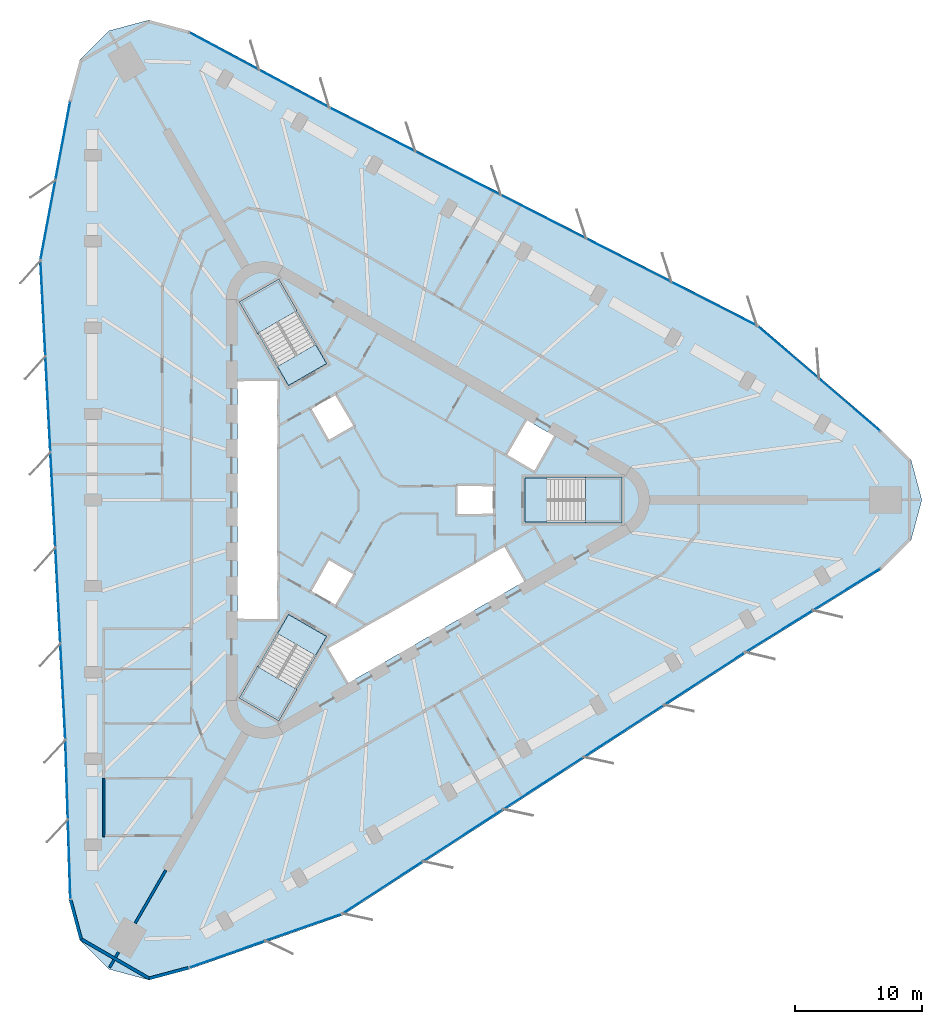
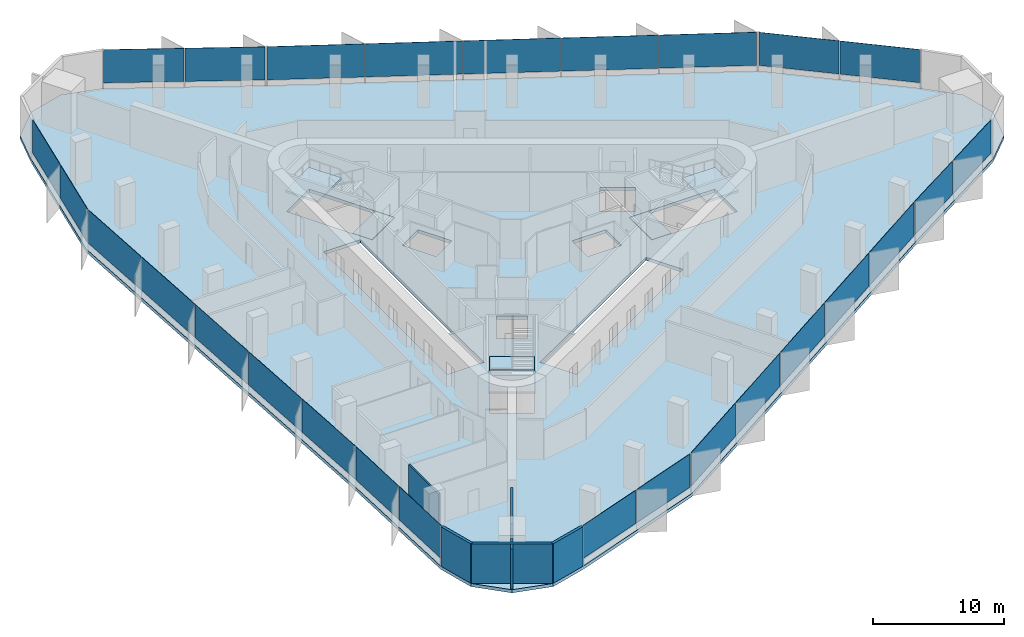
# One storey, part 7 of 13: 27 plates, 7 slabs, 7 walls, 12 elements without a shape of their own.
"""IFC4 building model written with IfcOpenShell, lengths in metres."""

from ifc_helpers import new_model, si_unit, direction, frame, frame_2d, origin, origin_2d, place, context, subcontext, project, spatial, polyline, rectangle, outline, extrude, material, layer, layer_set, type_object, element, aggregate, save


model = new_model("IFC4")

# Units and contexts
model_context = context("Model", 3, precision=1e-05, world=origin(), true_north=direction((0.0, 1.0)))
body_context = subcontext(model_context, "Body", "Model", "MODEL_VIEW")
ifc_project = project(units=[si_unit("LENGTHUNIT", "METRE"), si_unit("AREAUNIT", "SQUARE_METRE"), si_unit("VOLUMEUNIT", "CUBIC_METRE"), si_unit("PLANEANGLEUNIT", "RADIAN"), si_unit("MASSUNIT", "GRAM", prefix="KILO")], contexts=[model_context])

# Site, building, storey
site_placement = place(None, origin())
site = spatial("IfcSite", under=ifc_project, at=site_placement, CompositionType="ELEMENT")
building_placement = place(site_placement, origin())
building = spatial("IfcBuilding", under=site, at=building_placement, Name="Tanit Gate Tower", CompositionType="ELEMENT")
storey_placement = place(building_placement, frame((0.0, 0.0, 169.199951171875)))
storey = spatial("IfcBuildingStorey", under=building, at=storey_placement, Name="L36", CompositionType="ELEMENT", Elevation=169.199951171875)

# Slab
ifc_material_1 = material(Name="Concrete C35/45", Category="concrete")
ifc_layer_1 = layer(ifc_material_1, 0.300048828125)
ifc_layer_set_1 = layer_set([ifc_layer_1], Name="FLOOR SLAB 300 C35/45")
slab_type_1 = type_object("IfcSlabType", Name="FLOOR SLAB 300 C35/45", PredefinedType="FLOOR", material=ifc_layer_set_1)
slab_1_placement = place(storey_placement, frame((0.0, 0.0, -0.300048828125)))
element("IfcSlab", 1, at=slab_1_placement, inside=storey, type_object=slab_type_1, Name="FLOOR SLAB L36", PredefinedType="FLOOR", context=body_context, shape_type="SweptSolid", body=[
    extrude(outline(polyline([(39.398681640625, 5.455078125), (41.7041015625, 3.1494140625), (42.548095703125, 0.0), (41.7041015625, -3.1494140625), (39.398681640625, -5.455078125), (28.72216796875, -12.077392578125), (-2.923583984375, -32.607177734375), (-14.97509765625, -36.84765625), (-18.12451171875, -37.691650390625), (-21.27392578125, -36.84765625), (-23.57958984375, -34.5419921875), (-24.423583984375, -31.392578125), (-24.8203125, -18.83544921875), (-26.77685546875, 18.83544921875), (-24.423583984375, 31.392578125), (-23.57958984375, 34.5419921875), (-21.27392578125, 36.84765625), (-18.12451171875, 37.691650390625), (-14.97509765625, 36.84765625), (-3.90185546875, 30.912841796875), (29.700439453125, 13.771484375), (39.398681640625, 5.455078125)]), holes=[polyline([(11.3701171875, 1.72998046875), (18.929931640625, 1.72998046875), (18.929931640625, -1.72998046875), (11.3701171875, -1.72998046875), (11.3701171875, 1.72998046875)]), polyline([(9.82080078125, 3.510009765625), (11.44580078125, 6.324462890625), (13.783935546875, 4.974609375), (12.158935546875, 2.159912109375), (9.82080078125, 3.510009765625)]), polyline([(-4.208984375, -11.60986328125), (9.82080078125, -3.510009765625), (11.44580078125, -6.324462890625), (-2.583984375, -14.424560546875), (-4.208984375, -11.60986328125)]), polyline([(6.0, 1.199951171875), (9.0, 1.199951171875), (9.0, -1.199951171875), (6.0, -1.199951171875), (6.0, 1.199951171875)]), polyline([(-5.539306640625, 7.194091796875), (-3.460693359375, 8.394287109375), (-1.960693359375, 5.796142578125), (-4.039306640625, 4.59619140625), (-5.539306640625, 7.194091796875)]), polyline([(-1.960693359375, -5.796142578125), (-3.460693359375, -8.394287109375), (-5.539306640625, -7.194091796875), (-4.039306640625, -4.59619140625), (-1.960693359375, -5.796142578125)]), polyline([(-10.963134765625, 15.52880859375), (-7.966796875, 17.2587890625), (-4.186767578125, 10.711669921875), (-7.18310546875, 8.981689453125), (-10.963134765625, 15.52880859375)]), polyline([(-4.186767578125, -10.711669921875), (-7.966796875, -17.2587890625), (-10.963134765625, -15.52880859375), (-7.18310546875, -8.981689453125), (-4.186767578125, -10.711669921875)]), polyline([(-11.199951171875, -9.449951171875), (-11.199951171875, 9.449951171875), (-7.949951171875, 9.449951171875), (-7.949951171875, -9.449951171875), (-11.199951171875, -9.449951171875)])]), origin(), (0.0, 0.0, 1.0), 0.300048828125),
])

# Curtain wall, plates
ifc_material_2 = material(Name="Aluminium bronze anodised and glass", Category="aluminium")
curtain_wall_type = type_object("IfcCurtainWallType", Name="Curtain wall typical mid", PredefinedType="NOTDEFINED", material=ifc_material_2)
curtain_wall_1_placement = place(storey_placement, origin())
curtain_wall_1 = element("IfcCurtainWall", 2, at=curtain_wall_1_placement, inside=storey, type_object=curtain_wall_type, Name="Curtain wall L36 NE1", PredefinedType="NOTDEFINED")
ifc_material_3 = material(Name="Glass tinted", Category="glass")
ifc_layer_2 = layer(ifc_material_3, 0.030029296875)
ifc_layer_set_2 = layer_set([ifc_layer_2], Name="Glass panel 30 typical mid")
plate_type = type_object("IfcPlateType", Name="Glass panel 30 typical mid", PredefinedType="CURTAIN_PANEL", material=ifc_layer_set_2)
plate_1_placement = place(storey_placement, frame((36.880859375, 7.4560546875, 0.60009765625), z_axis=(0.0, 0.0, 1.0), x_axis=(-0.759109335547, 0.650963145412, 0.0)))
plate_1 = element("IfcPlate", 3, at=plate_1_placement, type_object=plate_type, Name="Glass panel L36 NE1.1", PredefinedType="CURTAIN_PANEL", context=body_context, shape_type="SweptSolid", body=[
    extrude(rectangle(XDim=6.25830078125, YDim=0.030029296875, at=origin_2d()), origin(), (0.0, 0.0, 1.0), 3.10009765625),
])
plate_2_placement = place(storey_placement, frame((32.0693359375, 11.58203125, 0.60009765625), z_axis=(0.0, 0.0, 1.0), x_axis=(-0.759109335547, 0.650963145412, 0.0)))
plate_2 = element("IfcPlate", 4, at=plate_2_placement, type_object=plate_type, Name="Glass panel L36 NE1.2", PredefinedType="CURTAIN_PANEL", context=body_context, shape_type="SweptSolid", body=[
    extrude(rectangle(XDim=6.25830078125, YDim=0.030029296875, at=origin_2d()), origin(), (0.0, 0.0, 1.0), 3.10009765625),
])
aggregate(curtain_wall_1, [plate_1, plate_2])

curtain_wall_2_placement = place(storey_placement, origin())
curtain_wall_2 = element("IfcCurtainWall", 5, at=curtain_wall_2_placement, inside=storey, type_object=curtain_wall_type, Name="Curtain wall L36 NE2", PredefinedType="NOTDEFINED")
plate_3_placement = place(storey_placement, frame((26.24560546875, 15.399169921875, 0.60009765625), z_axis=(0.0, 0.0, 1.0), x_axis=(-0.890792250432, 0.454410790552, 0.0)))
plate_3 = element("IfcPlate", 6, at=plate_3_placement, type_object=plate_type, Name="Glass panel L36 NE2.1", PredefinedType="CURTAIN_PANEL", context=body_context, shape_type="SweptSolid", body=[
    extrude(rectangle(XDim=7.44580078125, YDim=0.030029296875, at=origin_2d()), origin(), (0.0, 0.0, 1.0), 3.10009765625),
])
plate_4_placement = place(storey_placement, frame((19.541748046875, 18.819091796875, 0.60009765625), z_axis=(0.0, 0.0, 1.0), x_axis=(-0.890792250432, 0.454410790552, 0.0)))
plate_4 = element("IfcPlate", 7, at=plate_4_placement, type_object=plate_type, Name="Glass panel L36 NE2.2", PredefinedType="CURTAIN_PANEL", context=body_context, shape_type="SweptSolid", body=[
    extrude(rectangle(XDim=7.44580078125, YDim=0.030029296875, at=origin_2d()), origin(), (0.0, 0.0, 1.0), 3.10009765625),
])
plate_5_placement = place(storey_placement, frame((12.837890625, 22.23876953125, 0.60009765625), z_axis=(0.0, 0.0, 1.0), x_axis=(-0.890792250432, 0.454410790552, 0.0)))
plate_5 = element("IfcPlate", 8, at=plate_5_placement, type_object=plate_type, Name="Glass panel L36 NE2.3", PredefinedType="CURTAIN_PANEL", context=body_context, shape_type="SweptSolid", body=[
    extrude(rectangle(XDim=7.44580078125, YDim=0.030029296875, at=origin_2d()), origin(), (0.0, 0.0, 1.0), 3.10009765625),
])
plate_6_placement = place(storey_placement, frame((6.134033203125, 25.65869140625, 0.60009765625), z_axis=(0.0, 0.0, 1.0), x_axis=(-0.890792250432, 0.454410790552, 0.0)))
plate_6 = element("IfcPlate", 9, at=plate_6_placement, type_object=plate_type, Name="Glass panel L36 NE2.4", PredefinedType="CURTAIN_PANEL", context=body_context, shape_type="SweptSolid", body=[
    extrude(rectangle(XDim=7.44580078125, YDim=0.030029296875, at=origin_2d()), origin(), (0.0, 0.0, 1.0), 3.10009765625),
])
plate_7_placement = place(storey_placement, frame((-0.56982421875, 29.078369140625, 0.60009765625), z_axis=(0.0, 0.0, 1.0), x_axis=(-0.890792250432, 0.454410790552, 0.0)))
plate_7 = element("IfcPlate", 10, at=plate_7_placement, type_object=plate_type, Name="Glass panel L36 NE2.5", PredefinedType="CURTAIN_PANEL", context=body_context, shape_type="SweptSolid", body=[
    extrude(rectangle(XDim=7.44580078125, YDim=0.030029296875, at=origin_2d()), origin(), (0.0, 0.0, 1.0), 3.10009765625),
])
aggregate(curtain_wall_2, [plate_3, plate_4, plate_5, plate_6, plate_7])

curtain_wall_3_placement = place(storey_placement, origin())
curtain_wall_3 = element("IfcCurtainWall", 11, at=curtain_wall_3_placement, inside=storey, type_object=curtain_wall_type, Name="Curtain wall L36 NE3", PredefinedType="NOTDEFINED")
plate_8_placement = place(storey_placement, frame((-6.74072265625, 32.298095703125, 0.60009765625), z_axis=(0.0, 0.0, 1.0), x_axis=(-0.881384648642, 0.472399302643, 0.0)))
plate_8 = element("IfcPlate", 12, at=plate_8_placement, type_object=plate_type, Name="Glass panel L36 NE3.1", PredefinedType="CURTAIN_PANEL", context=body_context, shape_type="SweptSolid", body=[
    extrude(rectangle(XDim=6.1552734375, YDim=0.030029296875, at=origin_2d()), origin(), (0.0, 0.0, 1.0), 3.10009765625),
])
plate_9_placement = place(storey_placement, frame((-12.236328125, 35.24365234375, 0.60009765625), z_axis=(0.0, 0.0, 1.0), x_axis=(-0.881384648642, 0.472399302643, 0.0)))
plate_9 = element("IfcPlate", 13, at=plate_9_placement, type_object=plate_type, Name="Glass panel L36 NE3.2", PredefinedType="CURTAIN_PANEL", context=body_context, shape_type="SweptSolid", body=[
    extrude(rectangle(XDim=6.1552734375, YDim=0.030029296875, at=origin_2d()), origin(), (0.0, 0.0, 1.0), 3.10009765625),
])
aggregate(curtain_wall_3, [plate_8, plate_9])

curtain_wall_4_placement = place(storey_placement, origin())
curtain_wall_4 = element("IfcCurtainWall", 14, at=curtain_wall_4_placement, inside=storey, type_object=curtain_wall_type, Name="Curtain wall L36 W1", PredefinedType="NOTDEFINED")
plate_10_placement = place(storey_placement, frame((-24.897705078125, 28.211669921875, 0.60009765625), z_axis=(0.0, 0.0, 1.0), x_axis=(-0.184195953081, -0.98288954154, 0.0)))
plate_10 = element("IfcPlate", 15, at=plate_10_placement, type_object=plate_type, Name="Glass panel L36 W1.1", PredefinedType="CURTAIN_PANEL", context=body_context, shape_type="SweptSolid", body=[
    extrude(rectangle(XDim=6.25830078125, YDim=0.030029296875, at=origin_2d()), origin(), (0.0, 0.0, 1.0), 3.10009765625),
])
plate_11_placement = place(storey_placement, frame((-26.065185546875, 21.981689453125, 0.60009765625), z_axis=(0.0, 0.0, 1.0), x_axis=(-0.184195953081, -0.98288954154, 0.0)))
plate_11 = element("IfcPlate", 16, at=plate_11_placement, type_object=plate_type, Name="Glass panel L36 W1.2", PredefinedType="CURTAIN_PANEL", context=body_context, shape_type="SweptSolid", body=[
    extrude(rectangle(XDim=6.25830078125, YDim=0.030029296875, at=origin_2d()), origin(), (0.0, 0.0, 1.0), 3.10009765625),
])
aggregate(curtain_wall_4, [plate_10, plate_11])

curtain_wall_5_placement = place(storey_placement, origin())
curtain_wall_5 = element("IfcCurtainWall", 17, at=curtain_wall_5_placement, inside=storey, type_object=curtain_wall_type, Name="Curtain wall L36 W2", PredefinedType="NOTDEFINED")
plate_12_placement = place(storey_placement, frame((-26.458984375, 15.02978515625, 0.60009765625), z_axis=(0.0, 0.0, 1.0), x_axis=(0.051864836844, -0.998654113645, 0.0)))
plate_12 = element("IfcPlate", 18, at=plate_12_placement, type_object=plate_type, Name="Glass panel L36 W2.1", PredefinedType="CURTAIN_PANEL", context=body_context, shape_type="SweptSolid", body=[
    extrude(rectangle(XDim=7.44580078125, YDim=0.030029296875, at=origin_2d()), origin(), (0.0, 0.0, 1.0), 3.10009765625),
])
plate_13_placement = place(storey_placement, frame((-26.068603515625, 7.51416015625, 0.60009765625), z_axis=(0.0, 0.0, 1.0), x_axis=(0.051864836844, -0.998654113645, 0.0)))
plate_13 = element("IfcPlate", 19, at=plate_13_placement, type_object=plate_type, Name="Glass panel L36 W2.2", PredefinedType="CURTAIN_PANEL", context=body_context, shape_type="SweptSolid", body=[
    extrude(rectangle(XDim=7.44580078125, YDim=0.030029296875, at=origin_2d()), origin(), (0.0, 0.0, 1.0), 3.10009765625),
])
plate_14_placement = place(storey_placement, frame((-25.67822265625, -0.00146484375, 0.60009765625), z_axis=(0.0, 0.0, 1.0), x_axis=(0.051864836844, -0.998654113645, 0.0)))
plate_14 = element("IfcPlate", 20, at=plate_14_placement, type_object=plate_type, Name="Glass panel L36 W2.3", PredefinedType="CURTAIN_PANEL", context=body_context, shape_type="SweptSolid", body=[
    extrude(rectangle(XDim=7.44580078125, YDim=0.030029296875, at=origin_2d()), origin(), (0.0, 0.0, 1.0), 3.10009765625),
])
plate_15_placement = place(storey_placement, frame((-25.2880859375, -7.51708984375, 0.60009765625), z_axis=(0.0, 0.0, 1.0), x_axis=(0.051864836844, -0.998654113645, 0.0)))
plate_15 = element("IfcPlate", 21, at=plate_15_placement, type_object=plate_type, Name="Glass panel L36 W2.4", PredefinedType="CURTAIN_PANEL", context=body_context, shape_type="SweptSolid", body=[
    extrude(rectangle(XDim=7.44580078125, YDim=0.030029296875, at=origin_2d()), origin(), (0.0, 0.0, 1.0), 3.10009765625),
])
plate_16_placement = place(storey_placement, frame((-24.897705078125, -15.03271484375, 0.60009765625), z_axis=(0.0, 0.0, 1.0), x_axis=(0.051864836844, -0.998654113645, 0.0)))
plate_16 = element("IfcPlate", 22, at=plate_16_placement, type_object=plate_type, Name="Glass panel L36 W2.5", PredefinedType="CURTAIN_PANEL", context=body_context, shape_type="SweptSolid", body=[
    extrude(rectangle(XDim=7.44580078125, YDim=0.030029296875, at=origin_2d()), origin(), (0.0, 0.0, 1.0), 3.10009765625),
])
aggregate(curtain_wall_5, [plate_12, plate_13, plate_14, plate_15, plate_16])

curtain_wall_6_placement = place(storey_placement, origin())
curtain_wall_6 = element("IfcCurtainWall", 23, at=curtain_wall_6_placement, inside=storey, type_object=curtain_wall_type, Name="Curtain wall L36 W3", PredefinedType="NOTDEFINED")
plate_17_placement = place(storey_placement, frame((-24.600830078125, -21.986572265625, 0.60009765625), z_axis=(0.0, 0.0, 1.0), x_axis=(0.031582527502, -0.999501147551, 0.0)))
plate_17 = element("IfcPlate", 24, at=plate_17_placement, type_object=plate_type, Name="Glass panel L36 W3.1", PredefinedType="CURTAIN_PANEL", context=body_context, shape_type="SweptSolid", body=[
    extrude(rectangle(XDim=6.1552734375, YDim=0.030029296875, at=origin_2d()), origin(), (0.0, 0.0, 1.0), 3.10009765625),
])
plate_18_placement = place(storey_placement, frame((-24.40380859375, -28.21875, 0.60009765625), z_axis=(0.0, 0.0, 1.0), x_axis=(0.031582527502, -0.999501147551, 0.0)))
plate_18 = element("IfcPlate", 25, at=plate_18_placement, type_object=plate_type, Name="Glass panel L36 W3.2", PredefinedType="CURTAIN_PANEL", context=body_context, shape_type="SweptSolid", body=[
    extrude(rectangle(XDim=6.1552734375, YDim=0.030029296875, at=origin_2d()), origin(), (0.0, 0.0, 1.0), 3.10009765625),
])
aggregate(curtain_wall_6, [plate_17, plate_18])

curtain_wall_7_placement = place(storey_placement, origin())
curtain_wall_7 = element("IfcCurtainWall", 26, at=curtain_wall_7_placement, inside=storey, type_object=curtain_wall_type, Name="Curtain wall L36 SE1", PredefinedType="NOTDEFINED")
plate_19_placement = place(storey_placement, frame((-11.983154296875, -35.667724609375, 0.60009765625), z_axis=(0.0, 0.0, 1.0), x_axis=(0.943305288628, 0.331926396127, 0.0)))
plate_19 = element("IfcPlate", 27, at=plate_19_placement, type_object=plate_type, Name="Glass panel L36 SE1.1", PredefinedType="CURTAIN_PANEL", context=body_context, shape_type="SweptSolid", body=[
    extrude(rectangle(XDim=6.25830078125, YDim=0.030029296875, at=origin_2d()), origin(), (0.0, 0.0, 1.0), 3.10009765625),
])
plate_20_placement = place(storey_placement, frame((-6.004150390625, -33.56396484375, 0.60009765625), z_axis=(0.0, 0.0, 1.0), x_axis=(0.943305288628, 0.331926396127, 0.0)))
plate_20 = element("IfcPlate", 28, at=plate_20_placement, type_object=plate_type, Name="Glass panel L36 SE1.2", PredefinedType="CURTAIN_PANEL", context=body_context, shape_type="SweptSolid", body=[
    extrude(rectangle(XDim=6.25830078125, YDim=0.030029296875, at=origin_2d()), origin(), (0.0, 0.0, 1.0), 3.10009765625),
])
aggregate(curtain_wall_7, [plate_19, plate_20])

curtain_wall_8_placement = place(storey_placement, origin())
curtain_wall_8 = element("IfcCurtainWall", 29, at=curtain_wall_8_placement, inside=storey, type_object=curtain_wall_type, Name="Curtain wall L36 SE2", PredefinedType="NOTDEFINED")
plate_21_placement = place(storey_placement, frame((0.21337890625, -30.428955078125, 0.60009765625), z_axis=(0.0, 0.0, 1.0), x_axis=(0.838927413588, 0.544243323092, 0.0)))
plate_21 = element("IfcPlate", 30, at=plate_21_placement, type_object=plate_type, Name="Glass panel L36 SE2.1", PredefinedType="CURTAIN_PANEL", context=body_context, shape_type="SweptSolid", body=[
    extrude(rectangle(XDim=7.44580078125, YDim=0.030029296875, at=origin_2d()), origin(), (0.0, 0.0, 1.0), 3.10009765625),
])
plate_22_placement = place(storey_placement, frame((6.52685546875, -26.333251953125, 0.60009765625), z_axis=(0.0, 0.0, 1.0), x_axis=(0.838927413588, 0.544243323092, 0.0)))
plate_22 = element("IfcPlate", 31, at=plate_22_placement, type_object=plate_type, Name="Glass panel L36 SE2.2", PredefinedType="CURTAIN_PANEL", context=body_context, shape_type="SweptSolid", body=[
    extrude(rectangle(XDim=7.44580078125, YDim=0.030029296875, at=origin_2d()), origin(), (0.0, 0.0, 1.0), 3.10009765625),
])
plate_23_placement = place(storey_placement, frame((12.840576171875, -22.2373046875, 0.60009765625), z_axis=(0.0, 0.0, 1.0), x_axis=(0.838927413588, 0.544243323092, 0.0)))
plate_23 = element("IfcPlate", 32, at=plate_23_placement, type_object=plate_type, Name="Glass panel L36 SE2.3", PredefinedType="CURTAIN_PANEL", context=body_context, shape_type="SweptSolid", body=[
    extrude(rectangle(XDim=7.44580078125, YDim=0.030029296875, at=origin_2d()), origin(), (0.0, 0.0, 1.0), 3.10009765625),
])
plate_24_placement = place(storey_placement, frame((19.154052734375, -18.141357421875, 0.60009765625), z_axis=(0.0, 0.0, 1.0), x_axis=(0.838927413588, 0.544243323092, 0.0)))
plate_24 = element("IfcPlate", 33, at=plate_24_placement, type_object=plate_type, Name="Glass panel L36 SE2.4", PredefinedType="CURTAIN_PANEL", context=body_context, shape_type="SweptSolid", body=[
    extrude(rectangle(XDim=7.44580078125, YDim=0.030029296875, at=origin_2d()), origin(), (0.0, 0.0, 1.0), 3.10009765625),
])
plate_25_placement = place(storey_placement, frame((25.467529296875, -14.045654296875, 0.60009765625), z_axis=(0.0, 0.0, 1.0), x_axis=(0.838927413588, 0.544243323092, 0.0)))
plate_25 = element("IfcPlate", 34, at=plate_25_placement, type_object=plate_type, Name="Glass panel L36 SE2.5", PredefinedType="CURTAIN_PANEL", context=body_context, shape_type="SweptSolid", body=[
    extrude(rectangle(XDim=7.44580078125, YDim=0.030029296875, at=origin_2d()), origin(), (0.0, 0.0, 1.0), 3.10009765625),
])
aggregate(curtain_wall_8, [plate_21, plate_22, plate_23, plate_24, plate_25])

curtain_wall_9_placement = place(storey_placement, origin())
curtain_wall_9 = element("IfcCurtainWall", 35, at=curtain_wall_9_placement, inside=storey, type_object=curtain_wall_type, Name="Curtain wall L36 SE3", PredefinedType="NOTDEFINED")
plate_26_placement = place(storey_placement, frame((31.34130859375, -10.3115234375, 0.60009765625), z_axis=(0.0, 0.0, 1.0), x_axis=(0.84980212114, 0.527101844908, 0.0)))
plate_26 = element("IfcPlate", 36, at=plate_26_placement, type_object=plate_type, Name="Glass panel L36 SE3.1", PredefinedType="CURTAIN_PANEL", context=body_context, shape_type="SweptSolid", body=[
    extrude(rectangle(XDim=6.1552734375, YDim=0.030029296875, at=origin_2d()), origin(), (0.0, 0.0, 1.0), 3.10009765625),
])
plate_27_placement = place(storey_placement, frame((36.64013671875, -7.02490234375, 0.60009765625), z_axis=(0.0, 0.0, 1.0), x_axis=(0.84980212114, 0.527101844908, 0.0)))
plate_27 = element("IfcPlate", 37, at=plate_27_placement, type_object=plate_type, Name="Glass panel L36 SE3.2", PredefinedType="CURTAIN_PANEL", context=body_context, shape_type="SweptSolid", body=[
    extrude(rectangle(XDim=6.1552734375, YDim=0.030029296875, at=origin_2d()), origin(), (0.0, 0.0, 1.0), 3.10009765625),
])
aggregate(curtain_wall_9, [plate_26, plate_27])

# Stair, slab
ifc_material_4 = material(Name="Concrete C40/50", Category="concrete")
stair_type = type_object("IfcStairType", Name="INT-STAIR-EXIT", PredefinedType="HALF_TURN_STAIR", material=ifc_material_4)
stair_1_placement = place(storey_placement, origin())
stair_1 = element("IfcStair", 38, at=stair_1_placement, inside=storey, type_object=stair_type, Name="L36 STAIR S1", PredefinedType="HALF_TURN_STAIR")
ifc_material_5 = material(Name="Concrete C40/50", Category="concrete")
ifc_layer_3 = layer(ifc_material_5, 0.199951171875)
ifc_layer_set_3 = layer_set([ifc_layer_3], Name="INT-STAIR-LANDING")
slab_type_2 = type_object("IfcSlabType", Name="INT-STAIR-LANDING", PredefinedType="LANDING", material=ifc_layer_set_3)
slab_2_placement = place(storey_placement, frame((0.0, 0.0, 1.800048828125)))
slab_2 = element("IfcSlab", 39, at=slab_2_placement, type_object=slab_type_2, Name="S1 landing 1", PredefinedType="LANDING", context=body_context, shape_type="SweptSolid", body=[
    extrude(outline(polyline([(16.135986328125, -1.800048828125), (19.0, -1.800048828125), (19.0, 1.800048828125), (16.135986328125, 1.800048828125), (16.135986328125, -1.800048828125)])), origin(), (0.0, 0.0, 1.0), 0.199951171875),
])
aggregate(stair_1, [slab_2])

# Slab
slab_3_placement = place(storey_placement, frame((0.0, 0.0, -0.199951171875)))
element("IfcSlab", 40, at=slab_3_placement, inside=storey, type_object=slab_type_2, Name="S1 floor landing", PredefinedType="LANDING", context=body_context, shape_type="SweptSolid", body=[
    extrude(outline(polyline([(11.3798828125, -1.719970703125), (13.10498046875, -1.719970703125), (13.10498046875, 1.719970703125), (11.3798828125, 1.719970703125), (11.3798828125, -1.719970703125)])), origin(), (0.0, 0.0, 1.0), 0.199951171875),
])

# Stair, slab
stair_2_placement = place(storey_placement, origin())
stair_2 = element("IfcStair", 41, at=stair_2_placement, inside=storey, type_object=stair_type, Name="L36 STAIR S2", PredefinedType="HALF_TURN_STAIR")
slab_4_placement = place(storey_placement, frame((0.0, 0.0, 1.800048828125)))
slab_4 = element("IfcSlab", 42, at=slab_4_placement, type_object=slab_type_2, Name="S2 landing 1", PredefinedType="LANDING", context=body_context, shape_type="SweptSolid", body=[
    extrude(outline(polyline([(-6.5078125, 14.871826171875), (-7.941162109375, 17.3544921875), (-11.058837890625, 15.554443359375), (-9.62548828125, 13.07177734375), (-6.5078125, 14.871826171875)])), origin(), (0.0, 0.0, 1.0), 0.199951171875),
])
aggregate(stair_2, [slab_4])

# Slab
slab_5_placement = place(storey_placement, frame((0.0, 0.0, -0.199951171875)))
element("IfcSlab", 43, at=slab_5_placement, inside=storey, type_object=slab_type_2, Name="S2 floor landing", PredefinedType="LANDING", context=body_context, shape_type="SweptSolid", body=[
    extrude(outline(polyline([(-4.200439453125, 10.71533203125), (-5.0625, 12.20849609375), (-8.04150390625, 10.48828125), (-7.179443359375, 8.995361328125), (-4.200439453125, 10.71533203125)])), origin(), (0.0, 0.0, 1.0), 0.199951171875),
])

# Stair, slab
stair_3_placement = place(storey_placement, origin())
stair_3 = element("IfcStair", 44, at=stair_3_placement, inside=storey, type_object=stair_type, Name="L36 STAIR S3", PredefinedType="HALF_TURN_STAIR")
slab_6_placement = place(storey_placement, frame((0.0, 0.0, 1.800048828125)))
slab_6 = element("IfcSlab", 45, at=slab_6_placement, type_object=slab_type_2, Name="S3 landing 1", PredefinedType="LANDING", context=body_context, shape_type="SweptSolid", body=[
    extrude(outline(polyline([(-9.626953125, -13.07421875), (-11.058837890625, -15.554443359375), (-7.941162109375, -17.3544921875), (-6.509033203125, -14.874267578125), (-9.626953125, -13.07421875)])), origin(), (0.0, 0.0, 1.0), 0.199951171875),
])
aggregate(stair_3, [slab_6])

# Slab
slab_7_placement = place(storey_placement, frame((0.0, 0.0, -0.199951171875)))
element("IfcSlab", 46, at=slab_7_placement, inside=storey, type_object=slab_type_2, Name="S3 floor landing", PredefinedType="LANDING", context=body_context, shape_type="SweptSolid", body=[
    extrude(outline(polyline([(-7.179443359375, -8.995361328125), (-8.0419921875, -10.4892578125), (-5.06298828125, -12.209228515625), (-4.200439453125, -10.71533203125), (-7.179443359375, -8.995361328125)])), origin(), (0.0, 0.0, 1.0), 0.199951171875),
])

# Walls
ifc_material_6 = material(Name="Concrete C30/37 with bronze anodised aluminium cladding", Category="concrete")
ifc_layer_4 = layer(ifc_material_6, 0.239990234375)
ifc_layer_set_4 = layer_set([ifc_layer_4], Name="Facade wall bronze clad 240")
wall_type_1 = type_object("IfcWallType", Name="Facade wall bronze clad 240", PredefinedType="SOLIDWALL", material=ifc_layer_set_4)
wall_1_placement = place(storey_placement, frame((-24.303955078125, -31.375, 0.0), z_axis=(0.0, 0.0, 1.0), x_axis=(0.258763925409, -0.965940593881, 0.0)))
element("IfcWall", 47, at=wall_1_placement, inside=storey, type_object=wall_type_1, Name="Bronze-clad facade wall L36 SW.arc1", PredefinedType="SOLIDWALL", context=body_context, shape_type="SweptSolid", body=[
    extrude(rectangle(XDim=3.21435546875, YDim=0.239990234375, at=frame_2d((1.607177734375, 0.0))), origin(), (0.0, 0.0, 1.0), 3.699951171875),
])
wall_2_placement = place(storey_placement, frame((-23.47216796875, -34.47998046875, 0.0), z_axis=(0.0, 0.0, 1.0), x_axis=(0.866030202489, -0.499991688307, 0.0)))
element("IfcWall", 48, at=wall_2_placement, inside=storey, type_object=wall_type_1, Name="Bronze-clad facade wall L36 SW.arc2", PredefinedType="SOLIDWALL", context=body_context, shape_type="SweptSolid", body=[
    extrude(rectangle(XDim=6.1748046875, YDim=0.239990234375, at=frame_2d((3.08740234375, 0.0))), origin(), (0.0, 0.0, 1.0), 3.699951171875),
])
wall_3_placement = place(storey_placement, frame((-18.12451171875, -37.5673828125, 0.0), z_axis=(0.0, 0.0, 1.0), x_axis=(0.965919993975, 0.258840810616, 0.0)))
element("IfcWall", 49, at=wall_3_placement, inside=storey, type_object=wall_type_1, Name="Bronze-clad facade wall L36 SW.arc3", PredefinedType="SOLIDWALL", context=body_context, shape_type="SweptSolid", body=[
    extrude(rectangle(XDim=3.223876953125, YDim=0.239990234375, at=frame_2d((1.61181640625, 0.0))), origin(), (0.0, 0.0, 1.0), 3.699951171875),
])
ifc_material_7 = material(Name="Fire-rated gypsum board partition")
ifc_layer_5 = layer(ifc_material_7, 0.199951171875)
ifc_layer_set_5 = layer_set([ifc_layer_5], Name="INT-WALL-COMPARTMENT")
wall_type_2 = type_object("IfcWallType", Name="INT-WALL-COMPARTMENT", PredefinedType="PARTITIONING", material=ifc_layer_set_5)
wall_4_placement = place(storey_placement, frame((-16.8173828125, -29.068359375, 0.0), z_axis=(0.0, 0.0, 1.0), x_axis=(-0.499988695522, -0.866031930329, 0.0)))
element("IfcWall", 50, at=wall_4_placement, inside=storey, type_object=wall_type_2, Name="Wall Compartment W114", PredefinedType="PARTITIONING", context=body_context, shape_type="SweptSolid", body=[
    extrude(rectangle(XDim=4.8154296875, YDim=0.199951171875, at=frame_2d((2.40771484375, 0.0))), origin(), (0.0, 0.0, 1.0), 3.27001953125),
])
wall_5_placement = place(storey_placement, frame((-20.52490234375, -35.490234375, 0.0), z_axis=(0.0, 0.0, 1.0), x_axis=(-0.499869636591, -0.866100656052, 0.0)))
element("IfcWall", 51, at=wall_5_placement, inside=storey, type_object=wall_type_2, Name="Wall Compartment W113", PredefinedType="PARTITIONING", context=body_context, shape_type="SweptSolid", body=[
    extrude(rectangle(XDim=0.478759765625, YDim=0.199951171875, at=frame_2d((0.2392578125, 0.0))), origin(), (0.0, 0.0, 1.0), 3.699951171875),
])
wall_6_placement = place(storey_placement, frame((-20.88427734375, -36.112548828125, 0.0), z_axis=(0.0, 0.0, 1.0), x_axis=(-0.49989369433, -0.866086770693, 0.0)))
element("IfcWall", 52, at=wall_6_placement, inside=storey, type_object=wall_type_2, Name="Wall Compartment W113x1", PredefinedType="PARTITIONING", context=body_context, shape_type="SweptSolid", body=[
    extrude(rectangle(XDim=0.699462890625, YDim=0.199951171875, at=frame_2d((0.349609375, 0.0))), origin(), (0.0, 0.0, 1.0), 3.699951171875),
])
ifc_material_8 = material(Name="Fire-rated gypsum board partition")
ifc_layer_6 = layer(ifc_material_8, 0.14990234375)
ifc_layer_set_6 = layer_set([ifc_layer_6], Name="INT-WALL-RISER")
wall_type_3 = type_object("IfcWallType", Name="INT-WALL-RISER", PredefinedType="PLUMBINGWALL", material=ifc_layer_set_6)
wall_7_placement = place(storey_placement, frame((-21.679931640625, -26.425048828125, 0.0), z_axis=(0.0, 0.0, 1.0), x_axis=(0.0, 1.0, 0.0)))
element("IfcWall", 53, at=wall_7_placement, inside=storey, type_object=wall_type_3, Name="Wall Riser W119", PredefinedType="PLUMBINGWALL", context=body_context, shape_type="SweptSolid", body=[
    extrude(rectangle(XDim=4.592041015625, YDim=0.14990234375, at=frame_2d((2.2958984375, 0.0))), origin(), (0.0, 0.0, 1.0), 2.780029296875),
])

save(model, "model.ifc")
